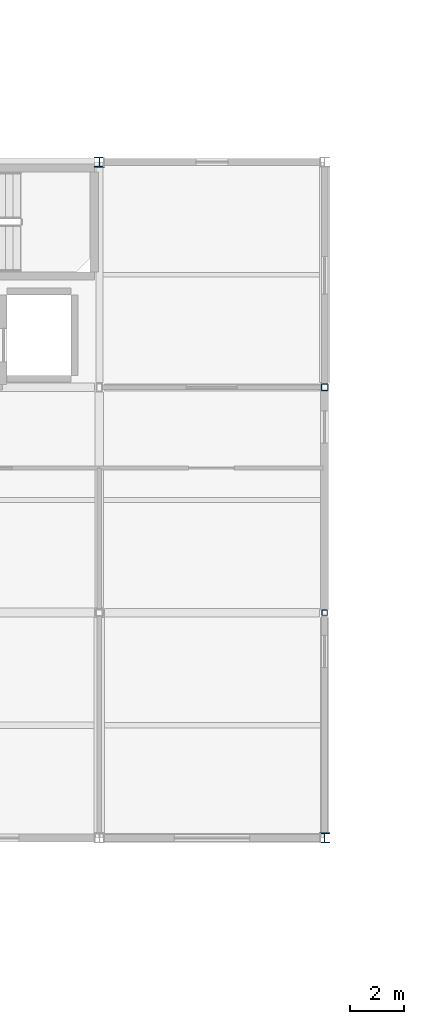
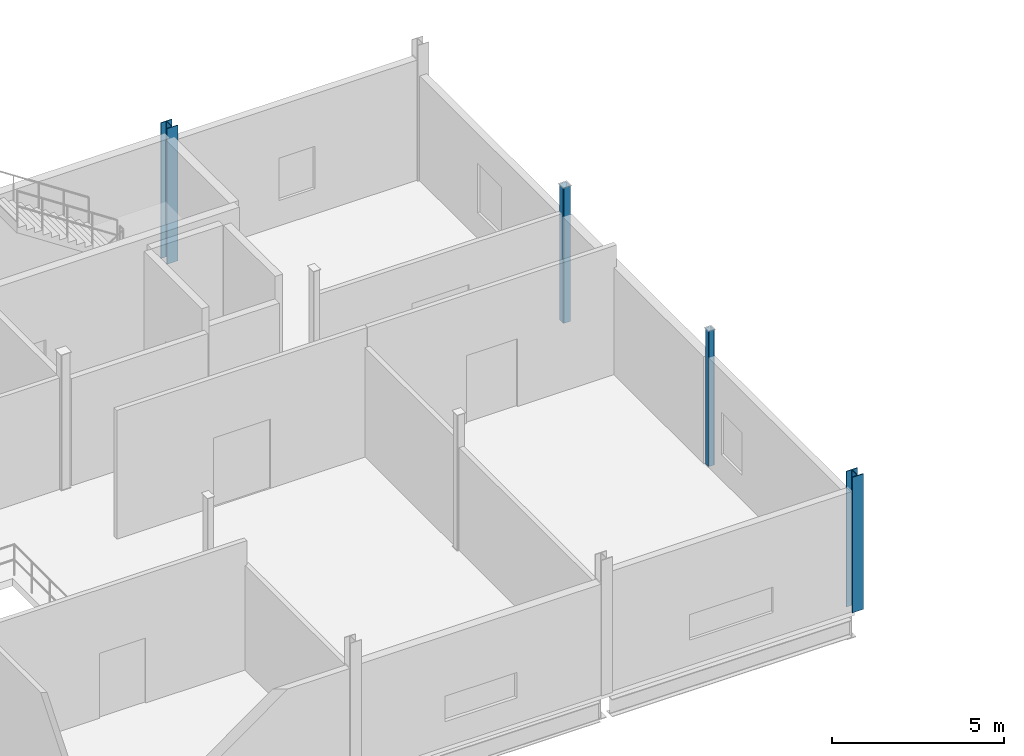
# One storey, part 4 of 45: 4 columns.
"""IFC4 building model written with IfcOpenShell, lengths in metres."""

from ifc_helpers import new_model, si_unit, direction, frame, origin, origin_2d, place, context, subcontext, project, spatial, hollow_rectangle, i_section, extrude, material, material_profile, profile_set, type_object, element, save


model = new_model("IFC4")

# Units and contexts
model_context = context("Model", 3, precision=1e-05, world=origin(), true_north=direction((0.0, 1.0)))
body_context = subcontext(model_context, "Body", "Model", "MODEL_VIEW")
ifc_project = project(units=[si_unit("LENGTHUNIT", "METRE"), si_unit("AREAUNIT", "SQUARE_METRE"), si_unit("VOLUMEUNIT", "CUBIC_METRE"), si_unit("PLANEANGLEUNIT", "RADIAN"), si_unit("MASSUNIT", "GRAM", prefix="KILO")], contexts=[model_context])

# Site, building, storey
site_placement = place(None, origin())
site = spatial("IfcSite", under=ifc_project, at=site_placement, CompositionType="ELEMENT")
building_placement = place(site_placement, origin())
building = spatial("IfcBuilding", under=site, at=building_placement, Name="Calvrana Isthmian Art Gallery", CompositionType="ELEMENT")
storey_placement = place(building_placement, frame((0.0, 0.0, 19.800048828125)))
storey = spatial("IfcBuildingStorey", under=building, at=storey_placement, Name="L04", CompositionType="ELEMENT", Elevation=19.800048828125)

# Columns
ifc_material_1 = material(Name="Steel ASTM A500 Gr C", Category="steel")
ifc_material_profile_1 = material_profile(ifc_material_1, hollow_rectangle(XDim=0.203125, YDim=0.203125, WallThickness=0.0126953125, OuterFilletRadius=0.02490234375, at=origin_2d()), Name="HSS203X203X12.7")
ifc_profile_set_1 = profile_set([ifc_material_profile_1], Name="Steel ASTM A500 Gr C")
column_type_1 = type_object("IfcColumnType", Name="COL-STL-HSS203X203X12.7", PredefinedType="COLUMN", material=ifc_profile_set_1)
column_1_placement = place(storey_placement, frame((80.39990234375, 30.0, 0.0), z_axis=(0.0, 0.0, 1.0), x_axis=(1.0, 0.0, 0.0)))
element("IfcColumn", 1, at=column_1_placement, inside=storey, type_object=column_type_1, Name="Column 11/E L04", PredefinedType="COLUMN", context=body_context, shape_type="SweptSolid", body=[
    extrude(hollow_rectangle(XDim=0.203125, YDim=0.203125, WallThickness=0.0126953125, OuterFilletRadius=0.02490234375, at=origin_2d()), origin(), (0.0, 0.0, 1.0), 4.800048828125),
])
ifc_material_profile_2 = material_profile(ifc_material_1, hollow_rectangle(XDim=0.25390625, YDim=0.25390625, WallThickness=0.0126953125, OuterFilletRadius=0.02490234375, at=origin_2d()), Name="HSS254X254X12.7")
ifc_profile_set_2 = profile_set([ifc_material_profile_2], Name="Steel ASTM A500 Gr C")
column_type_2 = type_object("IfcColumnType", Name="COL-STL-HSS254X254X12.7", PredefinedType="COLUMN", material=ifc_profile_set_2)
column_2_placement = place(storey_placement, frame((80.39990234375, 38.39990234375, 0.0), z_axis=(0.0, 0.0, 1.0), x_axis=(1.0, 0.0, 0.0)))
element("IfcColumn", 2, at=column_2_placement, inside=storey, type_object=column_type_2, Name="Column 11/F L04", PredefinedType="COLUMN", context=body_context, shape_type="SweptSolid", body=[
    extrude(hollow_rectangle(XDim=0.25390625, YDim=0.25390625, WallThickness=0.0126953125, OuterFilletRadius=0.02490234375, at=origin_2d()), origin(), (0.0, 0.0, 1.0), 4.800048828125),
])
ifc_material_2 = material(Name="Steel ASTM A992 Gr 50", Category="steel")
ifc_material_profile_3 = material_profile(ifc_material_2, i_section(OverallWidth=0.373046875, OverallDepth=0.367919921875, WebThickness=0.014892578125, FlangeThickness=0.02392578125, FilletRadius=0.02490234375, at=origin_2d()), Name="W14X120")
ifc_profile_set_3 = profile_set([ifc_material_profile_3], Name="Steel ASTM A992 Gr 50")
column_type_3 = type_object("IfcColumnType", Name="COL-STL-W14X120", PredefinedType="COLUMN", material=ifc_profile_set_3)
for number, where, z_axis, x_axis, name in (
    (3, (72.0, 46.800048828125, 0.0), (0.0, 0.0, 1.0), (1.0, 0.0, 0.0), "Column 10/G L04"),
    (4, (80.39990234375, 21.60009765625, 0.0), (0.0, 0.0, 1.0), (1.0, 0.0, 0.0), "Column 11/D L04"),
):
    element("IfcColumn", number, at=place(storey_placement, frame(where, z_axis=z_axis, x_axis=x_axis)), inside=storey, type_object=column_type_3, Name=name, PredefinedType="COLUMN", context=body_context, shape_type="SweptSolid", body=[
        extrude(i_section(OverallWidth=0.373046875, OverallDepth=0.367919921875, WebThickness=0.014892578125, FlangeThickness=0.02392578125, FilletRadius=0.02490234375, at=origin_2d()), origin(), (0.0, 0.0, 1.0), 4.800048828125),
    ])

save(model, "model.ifc")
